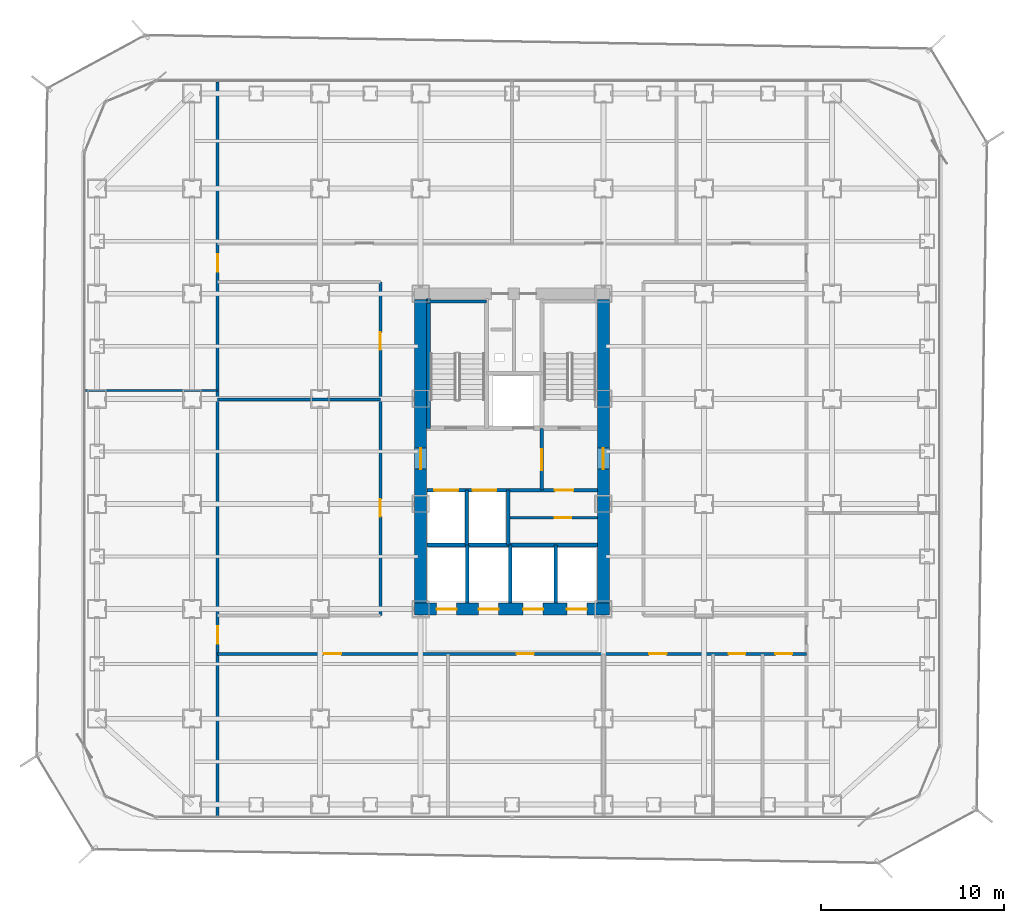
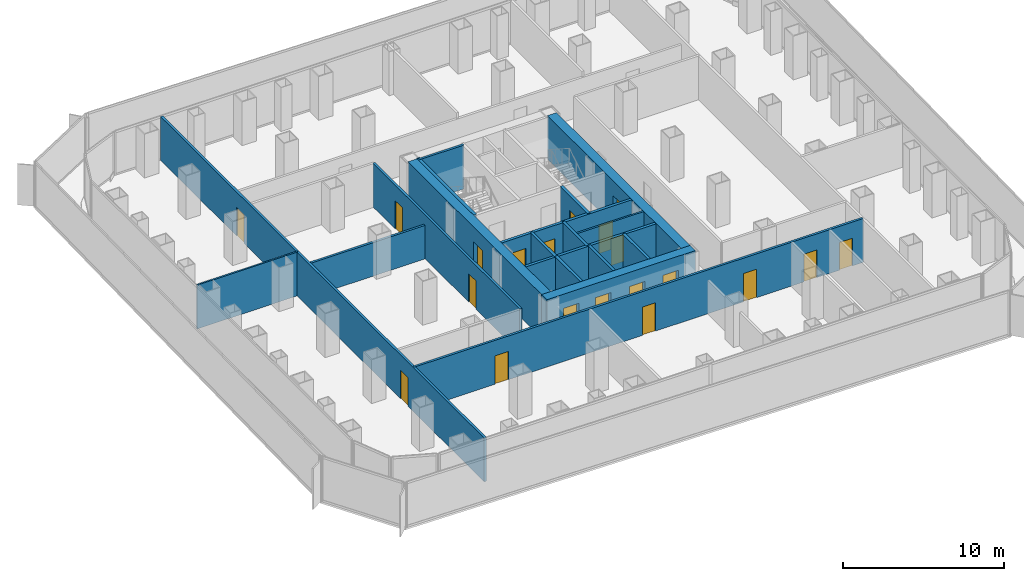
# One storey, part 17 of 21: 20 doors, 19 walls, 20 openings.
"""IFC4 building model written with IfcOpenShell, lengths in metres."""

from ifc_helpers import new_model, si_unit, direction, frame, frame_2d, origin, place, context, subcontext, project, spatial, rectangle, extrude, material, layer, layer_set, type_object, element, fill, save


model = new_model("IFC4")

# Units and contexts
model_context = context("Model", 3, precision=1e-05, world=origin(), true_north=direction((0.0, 1.0)))
body_context = subcontext(model_context, "Body", "Model", "MODEL_VIEW")
ifc_project = project(units=[si_unit("LENGTHUNIT", "METRE"), si_unit("AREAUNIT", "SQUARE_METRE"), si_unit("VOLUMEUNIT", "CUBIC_METRE"), si_unit("PLANEANGLEUNIT", "RADIAN"), si_unit("MASSUNIT", "GRAM", prefix="KILO")], contexts=[model_context])

# Site, building, storey
site_placement = place(None, origin())
site = spatial("IfcSite", under=ifc_project, at=site_placement, CompositionType="ELEMENT")
building_placement = place(site_placement, origin())
building = spatial("IfcBuilding", under=site, at=building_placement, Name="Kolveth Station Tower", CompositionType="ELEMENT")
storey_placement = place(building_placement, frame((0.0, 0.0, 36.89990234375)))
storey = spatial("IfcBuildingStorey", under=building, at=storey_placement, Name="L09", CompositionType="ELEMENT", Elevation=36.89990234375)

# Wall, openings, doors
ifc_material_1 = material(Name="Concrete C60/75", Category="concrete")
ifc_layer_1 = layer(ifc_material_1, 0.64990234375)
ifc_layer_set_1 = layer_set([ifc_layer_1], Name="Concrete C60/75")
wall_type_1 = type_object("IfcWallType", Name="Wall_CW-650", PredefinedType="SHEAR", material=ifc_layer_set_1)
wall_1_placement = place(storey_placement, frame((18.175048828125, 11.5, 0.0), z_axis=(0.0, 0.0, 1.0), x_axis=(1.0, 0.0, 0.0)))
wall_1 = element("IfcWall", 1, at=wall_1_placement, inside=storey, type_object=wall_type_1, Name="L09 Core RC Shear Wall S", PredefinedType="SHEAR", context=body_context, shape_type="SweptSolid", body=[
    extrude(rectangle(XDim=10.64990234375, YDim=0.64990234375, at=frame_2d((5.324951171875, 0.0))), origin(), (0.0, 0.0, 1.0), 3.320068359375),
])
opening_1_placement = place(wall_1_placement, frame((1.195068359375, 0.0, 0.0)))
opening_1 = element("IfcOpeningElement", 2, at=opening_1_placement, cuts=wall_1, Name="Opening LD1", PredefinedType="OPENING", context=body_context, shape_type="SweptSolid", body=[
    extrude(rectangle(XDim=1.10009765625, YDim=2.25, at=frame_2d((0.550048828125, 1.125))), frame((0.0, 0.3349609375, 0.0), z_axis=(0.0, -1.0, 0.0), x_axis=(1.0, 0.0, 0.0)), (0.0, 0.0, 1.0), 0.669921875),
])
opening_2_placement = place(wall_1_placement, frame((3.4951171875, 0.0, 0.0)))
opening_2 = element("IfcOpeningElement", 3, at=opening_2_placement, cuts=wall_1, Name="Opening LD1", PredefinedType="OPENING", context=body_context, shape_type="SweptSolid", body=[
    extrude(rectangle(XDim=1.10009765625, YDim=2.25, at=frame_2d((0.550048828125, 1.125))), frame((0.0, 0.3349609375, 0.0), z_axis=(0.0, -1.0, 0.0), x_axis=(1.0, 0.0, 0.0)), (0.0, 0.0, 1.0), 0.669921875),
])
opening_3_placement = place(wall_1_placement, frame((5.925048828125, 0.0, 0.0)))
opening_3 = element("IfcOpeningElement", 4, at=opening_3_placement, cuts=wall_1, Name="Opening LD1", PredefinedType="OPENING", context=body_context, shape_type="SweptSolid", body=[
    extrude(rectangle(XDim=1.10009765625, YDim=2.25, at=frame_2d((0.550048828125, 1.125))), frame((0.0, 0.3349609375, 0.0), z_axis=(0.0, -1.0, 0.0), x_axis=(1.0, 0.0, 0.0)), (0.0, 0.0, 1.0), 0.669921875),
])
opening_4_placement = place(wall_1_placement, frame((8.324951171875, 0.0, 0.0)))
opening_4 = element("IfcOpeningElement", 5, at=opening_4_placement, cuts=wall_1, Name="Opening LD1", PredefinedType="OPENING", context=body_context, shape_type="SweptSolid", body=[
    extrude(rectangle(XDim=1.10009765625, YDim=2.25, at=frame_2d((0.550048828125, 1.125))), frame((0.0, 0.3349609375, 0.0), z_axis=(0.0, -1.0, 0.0), x_axis=(1.0, 0.0, 0.0)), (0.0, 0.0, 1.0), 0.669921875),
])
ifc_material_2 = material(Name="Brushed stainless steel sliding landing doors", Category="steel")
door_type_1 = type_object("IfcDoorType", Name="Door_LD1", OperationType="NOTDEFINED", PredefinedType="DOOR", material=ifc_material_2)
door_1_placement = place(opening_1_placement, frame((1.10009765625, 0.0, 0.0), z_axis=(0.0, 0.0, 1.0), x_axis=(-1.0, 0.0, 0.0)))
door_1 = element("IfcDoor", 6, at=door_1_placement, inside=storey, type_object=door_type_1, Name="L09 Lift PL1 Landing Door", OperationType="DOUBLE_DOOR_SLIDING", OverallHeight=2.25, OverallWidth=1.10009765625, PredefinedType="DOOR", context=body_context, shape_type="SweptSolid", body=[
    extrude(rectangle(XDim=1.10009765625, YDim=2.25, at=frame_2d((0.550048828125, 1.125))), frame((0.0, 0.02490234375, 0.0), z_axis=(0.0, -1.0, 0.0), x_axis=(1.0, 0.0, 0.0)), (0.0, 0.0, 1.0), 0.050048828125),
])
fill(opening_1, door_1)
door_2_placement = place(opening_2_placement, frame((1.10009765625, 0.0, 0.0), z_axis=(0.0, 0.0, 1.0), x_axis=(-1.0, 0.0, 0.0)))
door_2 = element("IfcDoor", 7, at=door_2_placement, inside=storey, type_object=door_type_1, Name="L09 Lift PL2 Landing Door", OperationType="DOUBLE_DOOR_SLIDING", OverallHeight=2.25, OverallWidth=1.10009765625, PredefinedType="DOOR", context=body_context, shape_type="SweptSolid", body=[
    extrude(rectangle(XDim=1.10009765625, YDim=2.25, at=frame_2d((0.550048828125, 1.125))), frame((0.0, 0.02490234375, 0.0), z_axis=(0.0, -1.0, 0.0), x_axis=(1.0, 0.0, 0.0)), (0.0, 0.0, 1.0), 0.050048828125),
])
fill(opening_2, door_2)
door_3_placement = place(opening_3_placement, frame((1.10009765625, 0.0, 0.0), z_axis=(0.0, 0.0, 1.0), x_axis=(-1.0, 0.0, 0.0)))
door_3 = element("IfcDoor", 8, at=door_3_placement, inside=storey, type_object=door_type_1, Name="L09 Lift PM1 Landing Door", OperationType="DOUBLE_DOOR_SLIDING", OverallHeight=2.25, OverallWidth=1.10009765625, PredefinedType="DOOR", context=body_context, shape_type="SweptSolid", body=[
    extrude(rectangle(XDim=1.10009765625, YDim=2.25, at=frame_2d((0.550048828125, 1.125))), frame((0.0, 0.02490234375, 0.0), z_axis=(0.0, -1.0, 0.0), x_axis=(1.0, 0.0, 0.0)), (0.0, 0.0, 1.0), 0.050048828125),
])
fill(opening_3, door_3)
door_4_placement = place(opening_4_placement, frame((1.10009765625, 0.0, 0.0), z_axis=(0.0, 0.0, 1.0), x_axis=(-1.0, 0.0, 0.0)))
door_4 = element("IfcDoor", 9, at=door_4_placement, inside=storey, type_object=door_type_1, Name="L09 Lift PH1 Landing Door", OperationType="DOUBLE_DOOR_SLIDING", OverallHeight=2.25, OverallWidth=1.10009765625, PredefinedType="DOOR", context=body_context, shape_type="SweptSolid", body=[
    extrude(rectangle(XDim=1.10009765625, YDim=2.25, at=frame_2d((0.550048828125, 1.125))), frame((0.0, 0.02490234375, 0.0), z_axis=(0.0, -1.0, 0.0), x_axis=(1.0, 0.0, 0.0)), (0.0, 0.0, 1.0), 0.050048828125),
])
fill(opening_4, door_4)

# Wall, opening, door
wall_2_placement = place(storey_placement, frame((18.5, 11.824951171875, 0.0), z_axis=(0.0, 0.0, 1.0), x_axis=(0.0, 1.0, 0.0)))
wall_2 = element("IfcWall", 10, at=wall_2_placement, inside=storey, type_object=wall_type_1, Name="L09 Core RC Shear Wall W", PredefinedType="SHEAR", context=body_context, shape_type="SweptSolid", body=[
    extrude(rectangle(XDim=16.60009765625, YDim=0.64990234375, at=frame_2d((8.300048828125, 0.0))), origin(), (0.0, 0.0, 1.0), 3.320068359375),
])
opening_5_placement = place(wall_2_placement, frame((7.324951171875, 0.0, 0.0)))
opening_5 = element("IfcOpeningElement", 11, at=opening_5_placement, cuts=wall_2, Name="Opening FD1", PredefinedType="OPENING", context=body_context, shape_type="SweptSolid", body=[
    extrude(rectangle(XDim=1.14990234375, YDim=2.199951171875, at=frame_2d((0.574951171875, 1.10009765625))), frame((0.0, 0.3349609375, 0.0), z_axis=(0.0, -1.0, 0.0), x_axis=(1.0, 0.0, 0.0)), (0.0, 0.0, 1.0), 0.669921875),
])
ifc_material_3 = material(Name="Fire-rated Steel S355 leaf and frame", Category="steel")
door_type_2 = type_object("IfcDoorType", Name="Door_FD1", OperationType="NOTDEFINED", PredefinedType="DOOR", material=ifc_material_3)
door_5_placement = place(opening_5_placement, frame((1.14990234375, 0.0, 0.0), z_axis=(0.0, 0.0, 1.0), x_axis=(-1.0, 0.0, 0.0)))
door_5 = element("IfcDoor", 12, at=door_5_placement, inside=storey, type_object=door_type_2, Name="L09 West Corridor to Firefighting Lobby Door", OperationType="SINGLE_SWING_RIGHT", OverallHeight=2.199951171875, OverallWidth=1.14990234375, PredefinedType="DOOR", context=body_context, shape_type="SweptSolid", body=[
    extrude(rectangle(XDim=1.14990234375, YDim=2.199951171875, at=frame_2d((0.574951171875, 1.10009765625))), frame((0.0, 0.02490234375, 0.0), z_axis=(0.0, -1.0, 0.0), x_axis=(1.0, 0.0, 0.0)), (0.0, 0.0, 1.0), 0.050048828125),
])
fill(opening_5, door_5)

wall_3_placement = place(storey_placement, frame((28.5, 11.824951171875, 0.0), z_axis=(0.0, 0.0, 1.0), x_axis=(0.0, 1.0, 0.0)))
wall_3 = element("IfcWall", 13, at=wall_3_placement, inside=storey, type_object=wall_type_1, Name="L09 Core RC Shear Wall E", PredefinedType="SHEAR", context=body_context, shape_type="SweptSolid", body=[
    extrude(rectangle(XDim=16.60009765625, YDim=0.64990234375, at=frame_2d((8.300048828125, 0.0))), origin(), (0.0, 0.0, 1.0), 3.320068359375),
])
opening_6_placement = place(wall_3_placement, frame((7.324951171875, 0.0, 0.0)))
opening_6 = element("IfcOpeningElement", 14, at=opening_6_placement, cuts=wall_3, Name="Opening FD1", PredefinedType="OPENING", context=body_context, shape_type="SweptSolid", body=[
    extrude(rectangle(XDim=1.14990234375, YDim=2.199951171875, at=frame_2d((0.574951171875, 1.10009765625))), frame((0.0, 0.3349609375, 0.0), z_axis=(0.0, -1.0, 0.0), x_axis=(1.0, 0.0, 0.0)), (0.0, 0.0, 1.0), 0.669921875),
])
door_6_placement = place(opening_6_placement, origin())
door_6 = element("IfcDoor", 15, at=door_6_placement, inside=storey, type_object=door_type_2, Name="L09 East Corridor to Stair Lobby Door", OperationType="SINGLE_SWING_LEFT", OverallHeight=2.199951171875, OverallWidth=1.14990234375, PredefinedType="DOOR", context=body_context, shape_type="SweptSolid", body=[
    extrude(rectangle(XDim=1.14990234375, YDim=2.199951171875, at=frame_2d((0.574951171875, 1.10009765625))), frame((0.0, 0.02490234375, 0.0), z_axis=(0.0, -1.0, 0.0), x_axis=(1.0, 0.0, 0.0)), (0.0, 0.0, 1.0), 0.050048828125),
])
fill(opening_6, door_6)

# Wall
ifc_material_4 = material(Name="Framed gypsum partition")
ifc_layer_2 = layer(ifc_material_4, 0.114990234375)
ifc_layer_set_2 = layer_set([ifc_layer_2], Name="Framed gypsum partition")
wall_type_2 = type_object("IfcWallType", Name="Wall_IW-115", PredefinedType="PARTITIONING", material=ifc_layer_set_2)
wall_4_placement = place(storey_placement, frame((0.159912109375, 23.449951171875, 0.0), z_axis=(0.0, 0.0, 1.0), x_axis=(1.0, 0.0, 0.0)))
element("IfcWall", 16, at=wall_4_placement, inside=storey, type_object=wall_type_2, Name="L09 Partition Wall WL-L09-OWM", PredefinedType="PARTITIONING", context=body_context, shape_type="SweptSolid", body=[
    extrude(rectangle(XDim=7.239990234375, YDim=0.114990234375, at=frame_2d((3.6201171875, 0.0))), origin(), (0.0, 0.0, 1.0), 3.320068359375),
])

# Wall, opening, door
ifc_material_5 = material(Name="Moisture-resistant gypsum partition")
ifc_layer_3 = layer(ifc_material_5, 0.135009765625)
ifc_layer_set_3 = layer_set([ifc_layer_3], Name="Moisture-resistant gypsum partition")
wall_type_3 = type_object("IfcWallType", Name="Wall_IW-135", PredefinedType="PARTITIONING", material=ifc_layer_set_3)
wall_5_placement = place(storey_placement, frame((23.300048828125, 16.5, 0.0), z_axis=(0.0, 0.0, 1.0), x_axis=(1.0, 0.0, 0.0)))
wall_5 = element("IfcWall", 17, at=wall_5_placement, inside=storey, type_object=wall_type_3, Name="L09 Partition Wall WL-L09-CB-H1", PredefinedType="PARTITIONING", context=body_context, shape_type="SweptSolid", body=[
    extrude(rectangle(XDim=4.864990234375, YDim=0.135009765625, at=frame_2d((2.4326171875, 0.0))), origin(), (0.0, 0.0, 1.0), 3.320068359375),
])
opening_7_placement = place(wall_5_placement, frame((2.550048828125, 0.0, 0.0)))
opening_7 = element("IfcOpeningElement", 18, at=opening_7_placement, cuts=wall_5, Name="Opening RD1", PredefinedType="OPENING", context=body_context, shape_type="SweptSolid", body=[
    extrude(rectangle(XDim=0.89990234375, YDim=2.050048828125, at=frame_2d((0.449951171875, 1.02490234375))), frame((0.0, 0.077392578125, 0.0), z_axis=(0.0, -1.0, 0.0), x_axis=(1.0, 0.0, 0.0)), (0.0, 0.0, 1.0), 0.155029296875),
])
ifc_material_6 = material(Name="Fire-rated Steel S355 riser access leaf", Category="steel")
door_type_3 = type_object("IfcDoorType", Name="Door_RD1", OperationType="NOTDEFINED", PredefinedType="DOOR", material=ifc_material_6)
door_7_placement = place(opening_7_placement, frame((0.89990234375, 0.0, 0.0), z_axis=(0.0, 0.0, 1.0), x_axis=(-1.0, 0.0, 0.0)))
door_7 = element("IfcDoor", 19, at=door_7_placement, inside=storey, type_object=door_type_3, Name="L09 Core Equipment Store Door", OperationType="SINGLE_SWING_LEFT", OverallHeight=2.050048828125, OverallWidth=0.89990234375, PredefinedType="DOOR", context=body_context, shape_type="SweptSolid", body=[
    extrude(rectangle(XDim=0.89990234375, YDim=2.050048828125, at=frame_2d((0.449951171875, 1.02490234375))), frame((0.0, 0.02490234375, 0.0), z_axis=(0.0, -1.0, 0.0), x_axis=(1.0, 0.0, 0.0)), (0.0, 0.0, 1.0), 0.050048828125),
])
fill(opening_7, door_7)

# Wall
ifc_material_7 = material(Name="Acoustic double-stud gypsum partition")
ifc_layer_4 = layer(ifc_material_7, 0.1650390625)
ifc_layer_set_4 = layer_set([ifc_layer_4], Name="Acoustic double-stud gypsum partition")
wall_type_4 = type_object("IfcWallType", Name="Wall_IW-165", PredefinedType="PARTITIONING", material=ifc_layer_set_4)
wall_6_placement = place(storey_placement, frame((18.8349609375, 28.3349609375, 0.0), z_axis=(0.0, 0.0, 1.0), x_axis=(1.0, 0.0, 0.0)))
element("IfcWall", 20, at=wall_6_placement, inside=storey, type_object=wall_type_4, Name="L09 Stair Shaft Wall WL-L09-ST1-N", PredefinedType="PARTITIONING", context=body_context, shape_type="SweptSolid", body=[
    extrude(rectangle(XDim=3.275146484375, YDim=0.1650390625, at=frame_2d((1.6376953125, 0.0))), origin(), (0.0, 0.0, 1.0), 3.320068359375),
])

# Wall, openings, doors
wall_7_placement = place(storey_placement, frame((7.39990234375, 9.050048828125, 0.0), z_axis=(0.0, 0.0, 1.0), x_axis=(1.0, 0.0, 0.0)))
wall_7 = element("IfcWall", 21, at=wall_7_placement, inside=storey, type_object=wall_type_4, Name="L09 Partition Wall WL-L09-OS", PredefinedType="PARTITIONING", context=body_context, shape_type="SweptSolid", body=[
    extrude(rectangle(XDim=32.2001953125, YDim=0.1650390625, at=frame_2d((16.10009765625, 0.0))), origin(), (0.0, 0.0, 1.0), 3.320068359375),
])
opening_8_placement = place(wall_7_placement, frame((5.800048828125, 0.0, 0.0)))
opening_8 = element("IfcOpeningElement", 22, at=opening_8_placement, cuts=wall_7, Name="Opening ID1", PredefinedType="OPENING", context=body_context, shape_type="SweptSolid", body=[
    extrude(rectangle(XDim=0.949951171875, YDim=2.14990234375, at=frame_2d((0.47509765625, 1.074951171875))), frame((0.0, 0.092529296875, 0.0), z_axis=(0.0, -1.0, 0.0), x_axis=(1.0, 0.0, 0.0)), (0.0, 0.0, 1.0), 0.18505859375),
])
opening_9_placement = place(wall_7_placement, frame((16.35009765625, 0.0, 0.0)))
opening_9 = element("IfcOpeningElement", 23, at=opening_9_placement, cuts=wall_7, Name="Opening ID1", PredefinedType="OPENING", context=body_context, shape_type="SweptSolid", body=[
    extrude(rectangle(XDim=0.949951171875, YDim=2.14990234375, at=frame_2d((0.47509765625, 1.074951171875))), frame((0.0, 0.092529296875, 0.0), z_axis=(0.0, -1.0, 0.0), x_axis=(1.0, 0.0, 0.0)), (0.0, 0.0, 1.0), 0.18505859375),
])
opening_10_placement = place(wall_7_placement, frame((23.60009765625, 0.0, 0.0)))
opening_10 = element("IfcOpeningElement", 24, at=opening_10_placement, cuts=wall_7, Name="Opening ID1", PredefinedType="OPENING", context=body_context, shape_type="SweptSolid", body=[
    extrude(rectangle(XDim=0.949951171875, YDim=2.14990234375, at=frame_2d((0.47509765625, 1.074951171875))), frame((0.0, 0.092529296875, 0.0), z_axis=(0.0, -1.0, 0.0), x_axis=(1.0, 0.0, 0.0)), (0.0, 0.0, 1.0), 0.18505859375),
])
opening_11_placement = place(wall_7_placement, frame((27.949951171875, 0.0, 0.0)))
opening_11 = element("IfcOpeningElement", 25, at=opening_11_placement, cuts=wall_7, Name="Opening ID2", PredefinedType="OPENING", context=body_context, shape_type="SweptSolid", body=[
    extrude(rectangle(XDim=0.919921875, YDim=2.10009765625, at=frame_2d((0.4599609375, 1.050048828125))), frame((0.0, 0.092529296875, 0.0), z_axis=(0.0, -1.0, 0.0), x_axis=(1.0, 0.0, 0.0)), (0.0, 0.0, 1.0), 0.18505859375),
])
opening_12_placement = place(wall_7_placement, frame((30.5, 0.0, 0.0)))
opening_12 = element("IfcOpeningElement", 26, at=opening_12_placement, cuts=wall_7, Name="Opening ID2", PredefinedType="OPENING", context=body_context, shape_type="SweptSolid", body=[
    extrude(rectangle(XDim=0.919921875, YDim=2.10009765625, at=frame_2d((0.4599609375, 1.050048828125))), frame((0.0, 0.092529296875, 0.0), z_axis=(0.0, -1.0, 0.0), x_axis=(1.0, 0.0, 0.0)), (0.0, 0.0, 1.0), 0.18505859375),
])
ifc_material_8 = material(Name="Acoustic hardwood leaf and aluminium frame", Category="wood")
door_type_4 = type_object("IfcDoorType", Name="Door_ID1", OperationType="NOTDEFINED", PredefinedType="DOOR", material=ifc_material_8)
door_8_placement = place(opening_8_placement, frame((0.949951171875, 0.0, 0.0), z_axis=(0.0, 0.0, 1.0), x_axis=(-1.0, 0.0, 0.0)))
door_8 = element("IfcDoor", 27, at=door_8_placement, inside=storey, type_object=door_type_4, Name="L09 Conference Salon A Door", OperationType="SINGLE_SWING_LEFT", OverallHeight=2.14990234375, OverallWidth=0.949951171875, PredefinedType="DOOR", context=body_context, shape_type="SweptSolid", body=[
    extrude(rectangle(XDim=0.949951171875, YDim=2.14990234375, at=frame_2d((0.47509765625, 1.074951171875))), frame((0.0, 0.02490234375, 0.0), z_axis=(0.0, -1.0, 0.0), x_axis=(1.0, 0.0, 0.0)), (0.0, 0.0, 1.0), 0.050048828125),
])
fill(opening_8, door_8)
door_9_placement = place(opening_9_placement, frame((0.949951171875, 0.0, 0.0), z_axis=(0.0, 0.0, 1.0), x_axis=(-1.0, 0.0, 0.0)))
door_9 = element("IfcDoor", 28, at=door_9_placement, inside=storey, type_object=door_type_4, Name="L09 Conference Salon B Door", OperationType="SINGLE_SWING_LEFT", OverallHeight=2.14990234375, OverallWidth=0.949951171875, PredefinedType="DOOR", context=body_context, shape_type="SweptSolid", body=[
    extrude(rectangle(XDim=0.949951171875, YDim=2.14990234375, at=frame_2d((0.47509765625, 1.074951171875))), frame((0.0, 0.02490234375, 0.0), z_axis=(0.0, -1.0, 0.0), x_axis=(1.0, 0.0, 0.0)), (0.0, 0.0, 1.0), 0.050048828125),
])
fill(opening_9, door_9)
door_10_placement = place(opening_10_placement, frame((0.949951171875, 0.0, 0.0), z_axis=(0.0, 0.0, 1.0), x_axis=(-1.0, 0.0, 0.0)))
door_10 = element("IfcDoor", 29, at=door_10_placement, inside=storey, type_object=door_type_4, Name="L09 Breakout Lounge Door", OperationType="SINGLE_SWING_RIGHT", OverallHeight=2.14990234375, OverallWidth=0.949951171875, PredefinedType="DOOR", context=body_context, shape_type="SweptSolid", body=[
    extrude(rectangle(XDim=0.949951171875, YDim=2.14990234375, at=frame_2d((0.47509765625, 1.074951171875))), frame((0.0, 0.02490234375, 0.0), z_axis=(0.0, -1.0, 0.0), x_axis=(1.0, 0.0, 0.0)), (0.0, 0.0, 1.0), 0.050048828125),
])
fill(opening_10, door_10)
ifc_material_9 = material(Name="Moisture-resistant hardwood leaf", Category="wood")
door_type_5 = type_object("IfcDoorType", Name="Door_ID2", OperationType="NOTDEFINED", PredefinedType="DOOR", material=ifc_material_9)
door_11_placement = place(opening_11_placement, frame((0.919921875, 0.0, 0.0), z_axis=(0.0, 0.0, 1.0), x_axis=(-1.0, 0.0, 0.0)))
door_11 = element("IfcDoor", 30, at=door_11_placement, inside=storey, type_object=door_type_5, Name="L09 Staff Toilet Door", OperationType="SINGLE_SWING_LEFT", OverallHeight=2.10009765625, OverallWidth=0.919921875, PredefinedType="DOOR", context=body_context, shape_type="SweptSolid", body=[
    extrude(rectangle(XDim=0.919921875, YDim=2.10009765625, at=frame_2d((0.4599609375, 1.050048828125))), frame((0.0, 0.02490234375, 0.0), z_axis=(0.0, -1.0, 0.0), x_axis=(1.0, 0.0, 0.0)), (0.0, 0.0, 1.0), 0.050048828125),
])
fill(opening_11, door_11)
door_12_placement = place(opening_12_placement, frame((0.919921875, 0.0, 0.0), z_axis=(0.0, 0.0, 1.0), x_axis=(-1.0, 0.0, 0.0)))
door_12 = element("IfcDoor", 31, at=door_12_placement, inside=storey, type_object=door_type_5, Name="L09 Accessible WC Door", OperationType="SINGLE_SWING_RIGHT", OverallHeight=2.10009765625, OverallWidth=0.919921875, PredefinedType="DOOR", context=body_context, shape_type="SweptSolid", body=[
    extrude(rectangle(XDim=0.919921875, YDim=2.10009765625, at=frame_2d((0.4599609375, 1.050048828125))), frame((0.0, 0.02490234375, 0.0), z_axis=(0.0, -1.0, 0.0), x_axis=(1.0, 0.0, 0.0)), (0.0, 0.0, 1.0), 0.050048828125),
])
fill(opening_12, door_12)

wall_8_placement = place(storey_placement, frame((16.300048828125, 11.14990234375, 0.0), z_axis=(0.0, 0.0, 1.0), x_axis=(0.0, 1.0, 0.0)))
wall_8 = element("IfcWall", 32, at=wall_8_placement, inside=storey, type_object=wall_type_4, Name="L09 Partition Wall WL-L09-OCW", PredefinedType="PARTITIONING", context=body_context, shape_type="SweptSolid", body=[
    extrude(rectangle(XDim=18.25, YDim=0.1650390625, at=frame_2d((9.125, 0.0))), origin(), (0.0, 0.0, 1.0), 3.320068359375),
])
opening_13_placement = place(wall_8_placement, frame((5.408935546875, 0.0, 0.0)))
opening_13 = element("IfcOpeningElement", 33, at=opening_13_placement, cuts=wall_8, Name="Opening ID1", PredefinedType="OPENING", context=body_context, shape_type="SweptSolid", body=[
    extrude(rectangle(XDim=0.949951171875, YDim=2.14990234375, at=frame_2d((0.47509765625, 1.074951171875))), frame((0.0, 0.092529296875, 0.0), z_axis=(0.0, -1.0, 0.0), x_axis=(1.0, 0.0, 0.0)), (0.0, 0.0, 1.0), 0.18505859375),
])
opening_14_placement = place(wall_8_placement, frame((14.533935546875, 0.0, 0.0)))
opening_14 = element("IfcOpeningElement", 34, at=opening_14_placement, cuts=wall_8, Name="Opening ID1", PredefinedType="OPENING", context=body_context, shape_type="SweptSolid", body=[
    extrude(rectangle(XDim=0.949951171875, YDim=2.14990234375, at=frame_2d((0.47509765625, 1.074951171875))), frame((0.0, 0.092529296875, 0.0), z_axis=(0.0, -1.0, 0.0), x_axis=(1.0, 0.0, 0.0)), (0.0, 0.0, 1.0), 0.18505859375),
])
door_13_placement = place(opening_13_placement, frame((0.949951171875, 0.0, 0.0), z_axis=(0.0, 0.0, 1.0), x_axis=(-1.0, 0.0, 0.0)))
door_13 = element("IfcDoor", 35, at=door_13_placement, inside=storey, type_object=door_type_4, Name="L09 Internal Meeting Room W1 Door", OperationType="SINGLE_SWING_RIGHT", OverallHeight=2.14990234375, OverallWidth=0.949951171875, PredefinedType="DOOR", context=body_context, shape_type="SweptSolid", body=[
    extrude(rectangle(XDim=0.949951171875, YDim=2.14990234375, at=frame_2d((0.47509765625, 1.074951171875))), frame((0.0, 0.02490234375, 0.0), z_axis=(0.0, -1.0, 0.0), x_axis=(1.0, 0.0, 0.0)), (0.0, 0.0, 1.0), 0.050048828125),
])
fill(opening_13, door_13)
door_14_placement = place(opening_14_placement, frame((0.949951171875, 0.0, 0.0), z_axis=(0.0, 0.0, 1.0), x_axis=(-1.0, 0.0, 0.0)))
door_14 = element("IfcDoor", 36, at=door_14_placement, inside=storey, type_object=door_type_4, Name="L09 Print and Archive Room Door", OperationType="SINGLE_SWING_LEFT", OverallHeight=2.14990234375, OverallWidth=0.949951171875, PredefinedType="DOOR", context=body_context, shape_type="SweptSolid", body=[
    extrude(rectangle(XDim=0.949951171875, YDim=2.14990234375, at=frame_2d((0.47509765625, 1.074951171875))), frame((0.0, 0.02490234375, 0.0), z_axis=(0.0, -1.0, 0.0), x_axis=(1.0, 0.0, 0.0)), (0.0, 0.0, 1.0), 0.050048828125),
])
fill(opening_14, door_14)

wall_9_placement = place(storey_placement, frame((7.39990234375, 0.159912109375, 0.0), z_axis=(0.0, 0.0, 1.0), x_axis=(0.0, 1.0, 0.0)))
wall_9 = element("IfcWall", 37, at=wall_9_placement, inside=storey, type_object=wall_type_4, Name="L09 Partition Wall WL-L09-OWEND", PredefinedType="PARTITIONING", context=body_context, shape_type="SweptSolid", body=[
    extrude(rectangle(XDim=40.18017578125, YDim=0.1650390625, at=frame_2d((20.090087890625, 0.0))), origin(), (0.0, 0.0, 1.0), 3.320068359375),
])
opening_15_placement = place(wall_9_placement, frame((9.43994140625, 0.0, 0.0)))
opening_15 = element("IfcOpeningElement", 38, at=opening_15_placement, cuts=wall_9, Name="Opening ID1", PredefinedType="OPENING", context=body_context, shape_type="SweptSolid", body=[
    extrude(rectangle(XDim=0.949951171875, YDim=2.14990234375, at=frame_2d((0.47509765625, 1.074951171875))), frame((0.0, 0.092529296875, 0.0), z_axis=(0.0, -1.0, 0.0), x_axis=(1.0, 0.0, 0.0)), (0.0, 0.0, 1.0), 0.18505859375),
])
opening_16_placement = place(wall_9_placement, frame((29.7900390625, 0.0, 0.0)))
opening_16 = element("IfcOpeningElement", 39, at=opening_16_placement, cuts=wall_9, Name="Opening ID1", PredefinedType="OPENING", context=body_context, shape_type="SweptSolid", body=[
    extrude(rectangle(XDim=0.949951171875, YDim=2.14990234375, at=frame_2d((0.47509765625, 1.074951171875))), frame((0.0, 0.092529296875, 0.0), z_axis=(0.0, -1.0, 0.0), x_axis=(1.0, 0.0, 0.0)), (0.0, 0.0, 1.0), 0.18505859375),
])
door_15_placement = place(opening_15_placement, frame((0.949951171875, 0.0, 0.0), z_axis=(0.0, 0.0, 1.0), x_axis=(-1.0, 0.0, 0.0)))
door_15 = element("IfcDoor", 40, at=door_15_placement, inside=storey, type_object=door_type_4, Name="L09 West-South Wing Door", OperationType="SINGLE_SWING_RIGHT", OverallHeight=2.14990234375, OverallWidth=0.949951171875, PredefinedType="DOOR", context=body_context, shape_type="SweptSolid", body=[
    extrude(rectangle(XDim=0.949951171875, YDim=2.14990234375, at=frame_2d((0.47509765625, 1.074951171875))), frame((0.0, 0.02490234375, 0.0), z_axis=(0.0, -1.0, 0.0), x_axis=(1.0, 0.0, 0.0)), (0.0, 0.0, 1.0), 0.050048828125),
])
fill(opening_15, door_15)
door_16_placement = place(opening_16_placement, frame((0.949951171875, 0.0, 0.0), z_axis=(0.0, 0.0, 1.0), x_axis=(-1.0, 0.0, 0.0)))
door_16 = element("IfcDoor", 41, at=door_16_placement, inside=storey, type_object=door_type_4, Name="L09 West-North Wing Door", OperationType="SINGLE_SWING_LEFT", OverallHeight=2.14990234375, OverallWidth=0.949951171875, PredefinedType="DOOR", context=body_context, shape_type="SweptSolid", body=[
    extrude(rectangle(XDim=0.949951171875, YDim=2.14990234375, at=frame_2d((0.47509765625, 1.074951171875))), frame((0.0, 0.02490234375, 0.0), z_axis=(0.0, -1.0, 0.0), x_axis=(1.0, 0.0, 0.0)), (0.0, 0.0, 1.0), 0.050048828125),
])
fill(opening_16, door_16)

# Wall
wall_10_placement = place(storey_placement, frame((7.39990234375, 22.968994140625, 0.0), z_axis=(0.0, 0.0, 1.0), x_axis=(1.0, 0.0, 0.0)))
element("IfcWall", 42, at=wall_10_placement, inside=storey, type_object=wall_type_4, Name="L09 Partition Wall WL-L09-OIW-P1", PredefinedType="PARTITIONING", context=body_context, shape_type="SweptSolid", body=[
    extrude(rectangle(XDim=8.900146484375, YDim=0.1650390625, at=frame_2d((4.4501953125, 0.0))), origin(), (0.0, 0.0, 1.0), 2.5390625),
])

# Wall, opening, door
ifc_material_10 = material(Name="Acoustic fire-rated gypsum blockwork", Category="masonry")
ifc_layer_5 = layer(ifc_material_10, 0.199951171875)
ifc_layer_set_5 = layer_set([ifc_layer_5], Name="Acoustic fire-rated gypsum blockwork")
wall_type_5 = type_object("IfcWallType", Name="Wall_IW-200", PredefinedType="PARTITIONING", material=ifc_layer_set_5)
wall_11_placement = place(storey_placement, frame((25.1298828125, 18.0, 0.0), z_axis=(0.0, 0.0, 1.0), x_axis=(0.0, 1.0, 0.0)))
wall_11 = element("IfcWall", 43, at=wall_11_placement, inside=storey, type_object=wall_type_5, Name="L09 Partition Wall WL-L09-FFL-E", PredefinedType="PARTITIONING", context=body_context, shape_type="SweptSolid", body=[
    extrude(rectangle(XDim=3.389892578125, YDim=0.199951171875, at=frame_2d((1.69482421875, 0.0))), origin(), (0.0, 0.0, 1.0), 3.320068359375),
])
opening_17_placement = place(wall_11_placement, frame((1.10009765625, 0.0, 0.0)))
opening_17 = element("IfcOpeningElement", 44, at=opening_17_placement, cuts=wall_11, Name="Opening FD1", PredefinedType="OPENING", context=body_context, shape_type="SweptSolid", body=[
    extrude(rectangle(XDim=1.14990234375, YDim=2.199951171875, at=frame_2d((0.574951171875, 1.10009765625))), frame((0.0, 0.10986328125, 0.0), z_axis=(0.0, -1.0, 0.0), x_axis=(1.0, 0.0, 0.0)), (0.0, 0.0, 1.0), 0.219970703125),
])
door_17_placement = place(opening_17_placement, origin())
door_17 = element("IfcDoor", 45, at=door_17_placement, inside=storey, type_object=door_type_2, Name="L09 Firefighting to Stair Lobby Door", OperationType="SINGLE_SWING_LEFT", OverallHeight=2.199951171875, OverallWidth=1.14990234375, PredefinedType="DOOR", context=body_context, shape_type="SweptSolid", body=[
    extrude(rectangle(XDim=1.14990234375, YDim=2.199951171875, at=frame_2d((0.574951171875, 1.10009765625))), frame((0.0, 0.02490234375, 0.0), z_axis=(0.0, -1.0, 0.0), x_axis=(1.0, 0.0, 0.0)), (0.0, 0.0, 1.0), 0.050048828125),
])
fill(opening_17, door_17)

# Wall, openings, doors
wall_12_placement = place(storey_placement, frame((18.8349609375, 18.0, 0.0), z_axis=(0.0, 0.0, 1.0), x_axis=(1.0, 0.0, 0.0)))
wall_12 = element("IfcWall", 46, at=wall_12_placement, inside=storey, type_object=wall_type_5, Name="L09 Partition Wall WL-L09-FFL-S", PredefinedType="PARTITIONING", context=body_context, shape_type="SweptSolid", body=[
    extrude(rectangle(XDim=9.330078125, YDim=0.199951171875, at=frame_2d((4.6650390625, 0.0))), origin(), (0.0, 0.0, 1.0), 3.320068359375),
])
opening_18_placement = place(wall_12_placement, frame((0.4150390625, 0.0, 0.0)))
opening_18 = element("IfcOpeningElement", 47, at=opening_18_placement, cuts=wall_12, Name="Opening LD2", PredefinedType="OPENING", context=body_context, shape_type="SweptSolid", body=[
    extrude(rectangle(XDim=1.300048828125, YDim=2.300048828125, at=frame_2d((0.64990234375, 1.14990234375))), frame((0.0, 0.10986328125, 0.0), z_axis=(0.0, -1.0, 0.0), x_axis=(1.0, 0.0, 0.0)), (0.0, 0.0, 1.0), 0.219970703125),
])
opening_19_placement = place(wall_12_placement, frame((2.514892578125, 0.0, 0.0)))
opening_19 = element("IfcOpeningElement", 48, at=opening_19_placement, cuts=wall_12, Name="Opening LD2", PredefinedType="OPENING", context=body_context, shape_type="SweptSolid", body=[
    extrude(rectangle(XDim=1.300048828125, YDim=2.300048828125, at=frame_2d((0.64990234375, 1.14990234375))), frame((0.0, 0.10986328125, 0.0), z_axis=(0.0, -1.0, 0.0), x_axis=(1.0, 0.0, 0.0)), (0.0, 0.0, 1.0), 0.219970703125),
])
opening_20_placement = place(wall_12_placement, frame((7.014892578125, 0.0, 0.0)))
opening_20 = element("IfcOpeningElement", 49, at=opening_20_placement, cuts=wall_12, Name="Opening FD3", PredefinedType="OPENING", context=body_context, shape_type="SweptSolid", body=[
    extrude(rectangle(XDim=1.0, YDim=2.14990234375, at=frame_2d((0.5, 1.074951171875))), frame((0.0, 0.10986328125, 0.0), z_axis=(0.0, -1.0, 0.0), x_axis=(1.0, 0.0, 0.0)), (0.0, 0.0, 1.0), 0.219970703125),
])
ifc_material_11 = material(Name="Fire-rated hardwood leaf and aluminium frame", Category="wood")
door_type_6 = type_object("IfcDoorType", Name="Door_FD3", OperationType="NOTDEFINED", PredefinedType="DOOR", material=ifc_material_11)
door_18_placement = place(opening_20_placement, frame((1.0, 0.0, 0.0), z_axis=(0.0, 0.0, 1.0), x_axis=(-1.0, 0.0, 0.0)))
door_18 = element("IfcDoor", 50, at=door_18_placement, inside=storey, type_object=door_type_6, Name="L09 Core Linen and Supply Store Door", OperationType="SINGLE_SWING_RIGHT", OverallHeight=2.14990234375, OverallWidth=1.0, PredefinedType="DOOR", context=body_context, shape_type="SweptSolid", body=[
    extrude(rectangle(XDim=1.0, YDim=2.14990234375, at=frame_2d((0.5, 1.074951171875))), frame((0.0, 0.02490234375, 0.0), z_axis=(0.0, -1.0, 0.0), x_axis=(1.0, 0.0, 0.0)), (0.0, 0.0, 1.0), 0.050048828125),
])
fill(opening_20, door_18)
ifc_material_12 = material(Name="Firefighting stainless steel sliding landing doors", Category="steel")
door_type_7 = type_object("IfcDoorType", Name="Door_LD2", OperationType="NOTDEFINED", PredefinedType="DOOR", material=ifc_material_12)
door_19_placement = place(opening_18_placement, origin())
door_19 = element("IfcDoor", 51, at=door_19_placement, inside=storey, type_object=door_type_7, Name="L09 Firefighting Lift FF1 Landing Door", OperationType="DOUBLE_DOOR_SLIDING", OverallHeight=2.300048828125, OverallWidth=1.300048828125, PredefinedType="DOOR", context=body_context, shape_type="SweptSolid", body=[
    extrude(rectangle(XDim=1.300048828125, YDim=2.300048828125, at=frame_2d((0.64990234375, 1.14990234375))), frame((0.0, 0.02490234375, 0.0), z_axis=(0.0, -1.0, 0.0), x_axis=(1.0, 0.0, 0.0)), (0.0, 0.0, 1.0), 0.050048828125),
])
fill(opening_18, door_19)
door_20_placement = place(opening_19_placement, origin())
door_20 = element("IfcDoor", 52, at=door_20_placement, inside=storey, type_object=door_type_7, Name="L09 Firefighting Lift FF2 Landing Door", OperationType="DOUBLE_DOOR_SLIDING", OverallHeight=2.300048828125, OverallWidth=1.300048828125, PredefinedType="DOOR", context=body_context, shape_type="SweptSolid", body=[
    extrude(rectangle(XDim=1.300048828125, YDim=2.300048828125, at=frame_2d((0.64990234375, 1.14990234375))), frame((0.0, 0.02490234375, 0.0), z_axis=(0.0, -1.0, 0.0), x_axis=(1.0, 0.0, 0.0)), (0.0, 0.0, 1.0), 0.050048828125),
])
fill(opening_19, door_20)

# Walls
for number, where, z_axis, x_axis, name in (
    (53, (21.02001953125, 15.0, 0.0), (0.0, 0.0, 1.0), (0.0, 1.0, 0.0), "L09 Partition Wall WL-L09-FF12"),
    (54, (23.300048828125, 15.0, 0.0), (0.0, 0.0, 1.0), (0.0, 1.0, 0.0), "L09 Partition Wall WL-L09-FF2E"),
):
    element("IfcWall", number, at=place(storey_placement, frame(where, z_axis=z_axis, x_axis=x_axis)), inside=storey, type_object=wall_type_5, Name=name, PredefinedType="PARTITIONING", context=body_context, shape_type="SweptSolid", body=[
        extrude(rectangle(XDim=3.0, YDim=0.199951171875, at=frame_2d((1.5, 0.0))), origin(), (0.0, 0.0, 1.0), 3.320068359375),
    ])
wall_13_placement = place(storey_placement, frame((18.8349609375, 15.0, 0.0), z_axis=(0.0, 0.0, 1.0), x_axis=(1.0, 0.0, 0.0)))
element("IfcWall", 55, at=wall_13_placement, inside=storey, type_object=wall_type_5, Name="L09 Partition Wall WL-L09-BOH-S", PredefinedType="PARTITIONING", context=body_context, shape_type="SweptSolid", body=[
    extrude(rectangle(XDim=9.330078125, YDim=0.199951171875, at=frame_2d((4.6650390625, 0.0))), origin(), (0.0, 0.0, 1.0), 3.320068359375),
])
for number, where, z_axis, x_axis, name in (
    (56, (21.050048828125, 11.8349609375, 0.0), (0.0, 0.0, 1.0), (0.0, 1.0, 0.0), "L09 Partition Wall WL-L09-PL12"),
    (57, (23.39990234375, 11.8349609375, 0.0), (0.0, 0.0, 1.0), (0.0, 1.0, 0.0), "L09 Partition Wall WL-L09-PL2E"),
    (58, (25.89990234375, 11.8349609375, 0.0), (0.0, 0.0, 1.0), (0.0, 1.0, 0.0), "L09 Partition Wall WL-L09-PMPH"),
):
    element("IfcWall", number, at=place(storey_placement, frame(where, z_axis=z_axis, x_axis=x_axis)), inside=storey, type_object=wall_type_5, Name=name, PredefinedType="PARTITIONING", context=body_context, shape_type="SweptSolid", body=[
        extrude(rectangle(XDim=3.1650390625, YDim=0.199951171875, at=frame_2d((1.58251953125, 0.0))), origin(), (0.0, 0.0, 1.0), 3.320068359375),
    ])
ifc_material_13 = material(Name="Concrete C40/50", Category="concrete")
ifc_layer_6 = layer(ifc_material_13, 0.219970703125)
ifc_layer_set_6 = layer_set([ifc_layer_6], Name="Concrete C40/50")
wall_type_6 = type_object("IfcWallType", Name="Wall_IW-220", PredefinedType="SOLIDWALL", material=ifc_layer_set_6)
wall_14_placement = place(storey_placement, frame((18.929931640625, 21.389892578125, 0.0), z_axis=(0.0, 0.0, 1.0), x_axis=(0.0, 1.0, 0.0)))
element("IfcWall", 59, at=wall_14_placement, inside=storey, type_object=wall_type_6, Name="L09 Stair Shaft Wall WL-L09-ST1-W", PredefinedType="SOLIDWALL", context=body_context, shape_type="SweptSolid", body=[
    extrude(rectangle(XDim=7.110107421875, YDim=0.219970703125, at=frame_2d((3.55517578125, 0.0))), origin(), (0.0, 0.0, 1.0), 3.320068359375),
])

save(model, "model.ifc")
